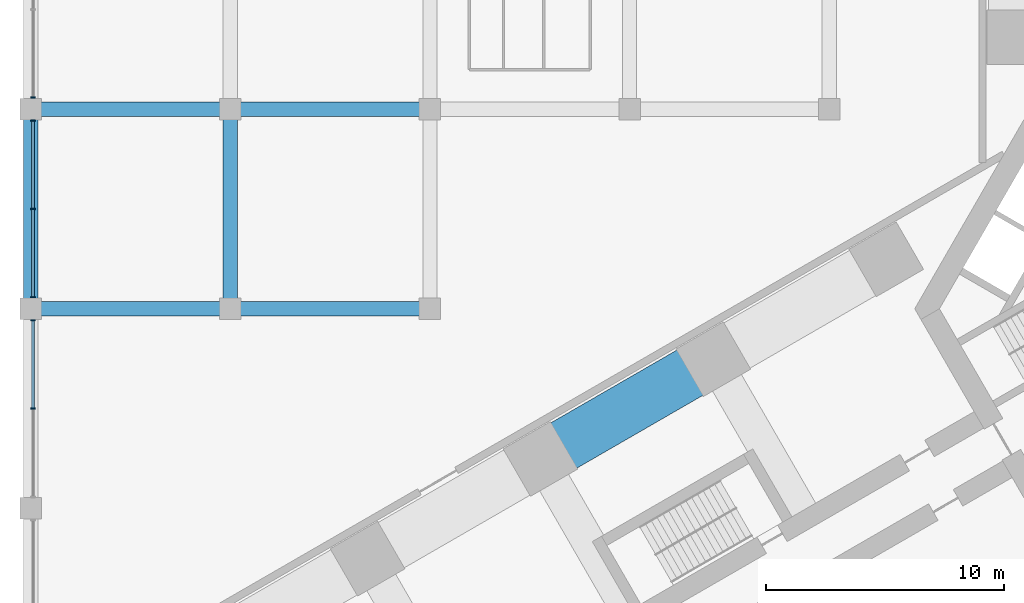
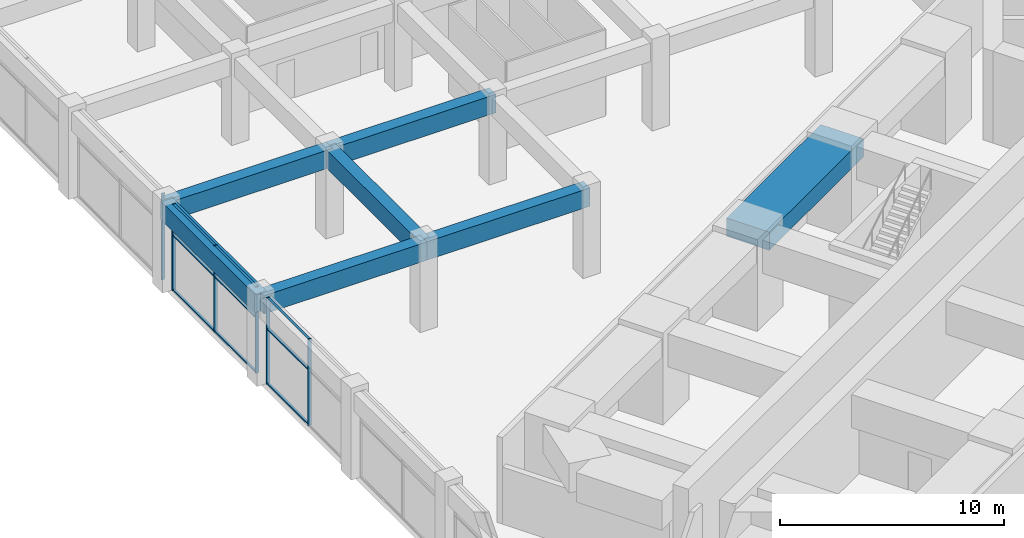
# One storey, part 7 of 36: 15 members, 7 beams, 3 elements without a shape of their own.
"""IFC4 building model written with IfcOpenShell, lengths in metres."""

from ifc_helpers import new_model, si_unit, direction, frame, origin, origin_2d, place, context, subcontext, project, spatial, rectangle, extrude, material, material_profile, profile_set, type_object, element, aggregate, save


model = new_model("IFC4")

# Units and contexts
model_context = context("Model", 3, precision=1e-05, world=origin(), true_north=direction((0.0, 1.0)))
body_context = subcontext(model_context, "Body", "Model", "MODEL_VIEW")
ifc_project = project(units=[si_unit("LENGTHUNIT", "METRE"), si_unit("AREAUNIT", "SQUARE_METRE"), si_unit("VOLUMEUNIT", "CUBIC_METRE"), si_unit("PLANEANGLEUNIT", "RADIAN"), si_unit("MASSUNIT", "GRAM", prefix="KILO")], contexts=[model_context])

# Site, building, storey
site_placement = place(None, origin())
site = spatial("IfcSite", under=ifc_project, at=site_placement, CompositionType="ELEMENT")
building_placement = place(site_placement, origin())
building = spatial("IfcBuilding", under=site, at=building_placement, Name="Impinga Residences", CompositionType="ELEMENT")
storey_placement = place(building_placement, frame((0.0, 0.0, 6.0)))
storey = spatial("IfcBuildingStorey", under=building, at=storey_placement, Name="L01", CompositionType="ELEMENT", Elevation=6.0)

# Curtain wall, members
ifc_material_1 = material(Name="Aluminium stick curtain wall", Category="aluminium")
curtain_wall_type = type_object("IfcCurtainWallType", Name="CW1 podium amenity curtain wall", PredefinedType="USERDEFINED", material=ifc_material_1)
curtain_wall_1_placement = place(storey_placement, origin())
curtain_wall_1 = element("IfcCurtainWall", 1, at=curtain_wall_1_placement, inside=storey, type_object=curtain_wall_type, Name="Curtain wall CW1 L01", ObjectType="STICK CURTAIN WALL", PredefinedType="USERDEFINED")
ifc_material_2 = material(Name="Aluminium mullion", Category="aluminium")
ifc_material_profile_1 = material_profile(ifc_material_2, rectangle(XDim=0.06005859375, YDim=0.179931640625, at=origin_2d()), Name="60x180 mullion")
ifc_profile_set_1 = profile_set([ifc_material_profile_1], Name="Aluminium mullion")
member_type_1 = type_object("IfcMemberType", Name="CW1-M mullion 60x180", PredefinedType="MULLION", material=ifc_profile_set_1)
member_1_placement = place(storey_placement, frame((-50.300048828125, -4.199951171875, 0.0), z_axis=(0.0, 0.0, 1.0), x_axis=(0.0, 1.0, 0.0)))
member_1 = element("IfcMember", 2, at=member_1_placement, type_object=member_type_1, Name="CW1 mullion 2", PredefinedType="MULLION", context=body_context, shape_type="SweptSolid", body=[
    extrude(rectangle(XDim=0.06005859375, YDim=0.179931640625, at=origin_2d()), origin(), (0.0, 0.0, 1.0), 4.699951171875),
])
member_2_placement = place(storey_placement, frame((-50.300048828125, -0.48291015625, 0.0), z_axis=(0.0, 0.0, 1.0), x_axis=(0.0, 1.0, 0.0)))
member_2 = element("IfcMember", 3, at=member_2_placement, type_object=member_type_1, Name="CW1 mullion 3", PredefinedType="MULLION", context=body_context, shape_type="SweptSolid", body=[
    extrude(rectangle(XDim=0.06005859375, YDim=0.179931640625, at=origin_2d()), origin(), (0.0, 0.0, 1.0), 4.699951171875),
])

curtain_wall_2_placement = place(storey_placement, origin())
curtain_wall_2 = element("IfcCurtainWall", 4, at=curtain_wall_2_placement, inside=storey, type_object=curtain_wall_type, Name="Curtain wall CW1 L01", ObjectType="STICK CURTAIN WALL", PredefinedType="USERDEFINED")
member_3_placement = place(storey_placement, frame((-50.300048828125, 0.48291015625, 0.0), z_axis=(0.0, 0.0, 1.0), x_axis=(0.0, 1.0, 0.0)))
member_3 = element("IfcMember", 5, at=member_3_placement, type_object=member_type_1, Name="CW1 mullion 1", PredefinedType="MULLION", context=body_context, shape_type="SweptSolid", body=[
    extrude(rectangle(XDim=0.06005859375, YDim=0.179931640625, at=origin_2d()), origin(), (0.0, 0.0, 1.0), 4.699951171875),
])
member_4_placement = place(storey_placement, frame((-50.300048828125, 4.199951171875, 0.0), z_axis=(0.0, 0.0, 1.0), x_axis=(0.0, 1.0, 0.0)))
member_4 = element("IfcMember", 6, at=member_4_placement, type_object=member_type_1, Name="CW1 mullion 2", PredefinedType="MULLION", context=body_context, shape_type="SweptSolid", body=[
    extrude(rectangle(XDim=0.06005859375, YDim=0.179931640625, at=origin_2d()), origin(), (0.0, 0.0, 1.0), 4.699951171875),
])
member_5_placement = place(storey_placement, frame((-50.300048828125, 7.9169921875, 0.0), z_axis=(0.0, 0.0, 1.0), x_axis=(0.0, 1.0, 0.0)))
member_5 = element("IfcMember", 7, at=member_5_placement, type_object=member_type_1, Name="CW1 mullion 3", PredefinedType="MULLION", context=body_context, shape_type="SweptSolid", body=[
    extrude(rectangle(XDim=0.06005859375, YDim=0.179931640625, at=origin_2d()), origin(), (0.0, 0.0, 1.0), 4.699951171875),
])

# Curtain wall, member
curtain_wall_3_placement = place(storey_placement, origin())
curtain_wall_3 = element("IfcCurtainWall", 8, at=curtain_wall_3_placement, inside=storey, type_object=curtain_wall_type, Name="Curtain wall CW1 L01", ObjectType="STICK CURTAIN WALL", PredefinedType="USERDEFINED")
member_6_placement = place(storey_placement, frame((-50.300048828125, 8.883056640625, 0.0), z_axis=(0.0, 0.0, 1.0), x_axis=(0.0, 1.0, 0.0)))
member_6 = element("IfcMember", 9, at=member_6_placement, type_object=member_type_1, Name="CW1 mullion 1", PredefinedType="MULLION", context=body_context, shape_type="SweptSolid", body=[
    extrude(rectangle(XDim=0.06005859375, YDim=0.179931640625, at=origin_2d()), origin(), (0.0, 0.0, 1.0), 4.699951171875),
])
aggregate(curtain_wall_3, [member_6])

# Member
ifc_material_3 = material(Name="Aluminium transom", Category="aluminium")
ifc_material_profile_2 = material_profile(ifc_material_3, rectangle(XDim=0.06005859375, YDim=0.1201171875, at=origin_2d()), Name="60x120 transom")
ifc_profile_set_2 = profile_set([ifc_material_profile_2], Name="Aluminium transom")
member_type_2 = type_object("IfcMemberType", Name="CW1-T transom 60x120", PredefinedType="USERDEFINED", material=ifc_profile_set_2)
member_7_placement = place(storey_placement, frame((-50.300048828125, -4.169921875, 0.030029296875), z_axis=(0.0, 1.0, 0.0), x_axis=(0.0, 0.0, 1.0)))
member_7 = element("IfcMember", 10, at=member_7_placement, type_object=member_type_2, Name="CW1 transom 2.1", ObjectType="TRANSOM", PredefinedType="USERDEFINED", context=body_context, shape_type="SweptSolid", body=[
    extrude(rectangle(XDim=0.06005859375, YDim=0.1201171875, at=origin_2d()), origin(), (0.0, 0.0, 1.0), 3.656982421875),
])

member_8_placement = place(storey_placement, frame((-50.300048828125, -4.169921875, 3.0), z_axis=(0.0, 1.0, 0.0), x_axis=(0.0, 0.0, 1.0)))
member_8 = element("IfcMember", 11, at=member_8_placement, type_object=member_type_2, Name="CW1 transom 2.2", ObjectType="TRANSOM", PredefinedType="USERDEFINED", context=body_context, shape_type="SweptSolid", body=[
    extrude(rectangle(XDim=0.06005859375, YDim=0.1201171875, at=origin_2d()), origin(), (0.0, 0.0, 1.0), 3.656982421875),
])

member_9_placement = place(storey_placement, frame((-50.300048828125, -4.169921875, 4.669921875), z_axis=(0.0, 1.0, 0.0), x_axis=(0.0, 0.0, 1.0)))
member_9 = element("IfcMember", 12, at=member_9_placement, type_object=member_type_2, Name="CW1 transom 2.3", ObjectType="TRANSOM", PredefinedType="USERDEFINED", context=body_context, shape_type="SweptSolid", body=[
    extrude(rectangle(XDim=0.06005859375, YDim=0.1201171875, at=origin_2d()), origin(), (0.0, 0.0, 1.0), 3.656982421875),
])

aggregate(curtain_wall_1, [member_1, member_2, member_7, member_8, member_9])

member_10_placement = place(storey_placement, frame((-50.300048828125, 0.512939453125, 0.030029296875), z_axis=(0.0, 1.0, 0.0), x_axis=(0.0, 0.0, 1.0)))
member_10 = element("IfcMember", 13, at=member_10_placement, type_object=member_type_2, Name="CW1 transom 1.1", ObjectType="TRANSOM", PredefinedType="USERDEFINED", context=body_context, shape_type="SweptSolid", body=[
    extrude(rectangle(XDim=0.06005859375, YDim=0.1201171875, at=origin_2d()), origin(), (0.0, 0.0, 1.0), 3.656982421875),
])

member_11_placement = place(storey_placement, frame((-50.300048828125, 0.512939453125, 3.0), z_axis=(0.0, 1.0, 0.0), x_axis=(0.0, 0.0, 1.0)))
member_11 = element("IfcMember", 14, at=member_11_placement, type_object=member_type_2, Name="CW1 transom 1.2", ObjectType="TRANSOM", PredefinedType="USERDEFINED", context=body_context, shape_type="SweptSolid", body=[
    extrude(rectangle(XDim=0.06005859375, YDim=0.1201171875, at=origin_2d()), origin(), (0.0, 0.0, 1.0), 3.656982421875),
])

member_12_placement = place(storey_placement, frame((-50.300048828125, 0.512939453125, 4.669921875), z_axis=(0.0, 1.0, 0.0), x_axis=(0.0, 0.0, 1.0)))
member_12 = element("IfcMember", 15, at=member_12_placement, type_object=member_type_2, Name="CW1 transom 1.3", ObjectType="TRANSOM", PredefinedType="USERDEFINED", context=body_context, shape_type="SweptSolid", body=[
    extrude(rectangle(XDim=0.06005859375, YDim=0.1201171875, at=origin_2d()), origin(), (0.0, 0.0, 1.0), 3.656982421875),
])

member_13_placement = place(storey_placement, frame((-50.300048828125, 4.22998046875, 0.030029296875), z_axis=(0.0, 1.0, 0.0), x_axis=(0.0, 0.0, 1.0)))
member_13 = element("IfcMember", 16, at=member_13_placement, type_object=member_type_2, Name="CW1 transom 2.1", ObjectType="TRANSOM", PredefinedType="USERDEFINED", context=body_context, shape_type="SweptSolid", body=[
    extrude(rectangle(XDim=0.06005859375, YDim=0.1201171875, at=origin_2d()), origin(), (0.0, 0.0, 1.0), 3.656982421875),
])

member_14_placement = place(storey_placement, frame((-50.300048828125, 4.22998046875, 3.0), z_axis=(0.0, 1.0, 0.0), x_axis=(0.0, 0.0, 1.0)))
member_14 = element("IfcMember", 17, at=member_14_placement, type_object=member_type_2, Name="CW1 transom 2.2", ObjectType="TRANSOM", PredefinedType="USERDEFINED", context=body_context, shape_type="SweptSolid", body=[
    extrude(rectangle(XDim=0.06005859375, YDim=0.1201171875, at=origin_2d()), origin(), (0.0, 0.0, 1.0), 3.656982421875),
])

member_15_placement = place(storey_placement, frame((-50.300048828125, 4.22998046875, 4.669921875), z_axis=(0.0, 1.0, 0.0), x_axis=(0.0, 0.0, 1.0)))
member_15 = element("IfcMember", 18, at=member_15_placement, type_object=member_type_2, Name="CW1 transom 2.3", ObjectType="TRANSOM", PredefinedType="USERDEFINED", context=body_context, shape_type="SweptSolid", body=[
    extrude(rectangle(XDim=0.06005859375, YDim=0.1201171875, at=origin_2d()), origin(), (0.0, 0.0, 1.0), 3.656982421875),
])

aggregate(curtain_wall_2, [member_3, member_4, member_5, member_10, member_11, member_12, member_13, member_14, member_15])

# Beams
ifc_material_4 = material(Name="Concrete C60/75", Category="concrete")
ifc_material_profile_3 = material_profile(ifc_material_4, rectangle(XDim=0.60009765625, YDim=1.0, at=origin_2d()), Name="RC 600x1000")
ifc_profile_set_3 = profile_set([ifc_material_profile_3], Name="Concrete C60/75")
beam_type_1 = type_object("IfcBeamType", Name="PB2 600x1000 podium beam", PredefinedType="BEAM", material=ifc_profile_set_3)
for number, where, z_axis, x_axis, name in (
    (19, (-50.39990234375, 0.0, 4.199951171875), (1.0, 0.0, 0.0), (0.0, 1.0, 0.0), "Beam PB2 F/1-2 level L02"),
    (20, (-42.0, 0.0, 4.199951171875), (1.0, 0.0, 0.0), (0.0, 1.0, 0.0), "Beam PB2 F/2-3 level L02"),
    (21, (-50.39990234375, 8.39990234375, 4.199951171875), (1.0, 0.0, 0.0), (0.0, 1.0, 0.0), "Beam PB2 G/1-2 level L02"),
    (22, (-42.0, 8.39990234375, 4.199951171875), (1.0, 0.0, 0.0), (0.0, 1.0, 0.0), "Beam PB2 G/2-3 level L02"),
    (23, (-50.39990234375, 0.0, 4.199951171875), (0.0, 1.0, 0.0), (-1.0, 0.0, 0.0), "Beam PB2 1/F-G level L02"),
    (24, (-42.0, 0.0, 4.199951171875), (0.0, 1.0, 0.0), (-1.0, 0.0, 0.0), "Beam PB2 2/F-G level L02"),
):
    element("IfcBeam", number, at=place(storey_placement, frame(where, z_axis=z_axis, x_axis=x_axis)), inside=storey, type_object=beam_type_1, Name=name, PredefinedType="BEAM", context=body_context, shape_type="SweptSolid", body=[
        extrude(rectangle(XDim=0.60009765625, YDim=1.0, at=origin_2d()), origin(), (0.0, 0.0, 1.0), 8.39990234375),
    ])
ifc_material_profile_4 = material_profile(ifc_material_4, rectangle(XDim=2.199951171875, YDim=1.0, at=origin_2d()), Name="RC 2200x1000")
ifc_profile_set_4 = profile_set([ifc_material_profile_4], Name="Concrete C60/75")
beam_type_2 = type_object("IfcBeamType", Name="PB3 2200x1000 podium band beam", PredefinedType="BEAM", material=ifc_profile_set_4)
beam_placement = place(storey_placement, frame((-21.674560546875, -2.12158203125, 4.199951171875), z_axis=(-0.86602925447, -0.499993330357, 0.0), x_axis=(0.499993330357, -0.86602925447, 0.0)))
element("IfcBeam", 25, at=beam_placement, inside=storey, type_object=beam_type_2, Name="Beam PB3 WF W2-W3 level L02", PredefinedType="BEAM", context=body_context, shape_type="SweptSolid", body=[
    extrude(rectangle(XDim=2.199951171875, YDim=1.0, at=origin_2d()), origin(), (0.0, 0.0, 1.0), 8.39990234375),
])

save(model, "model.ifc")
